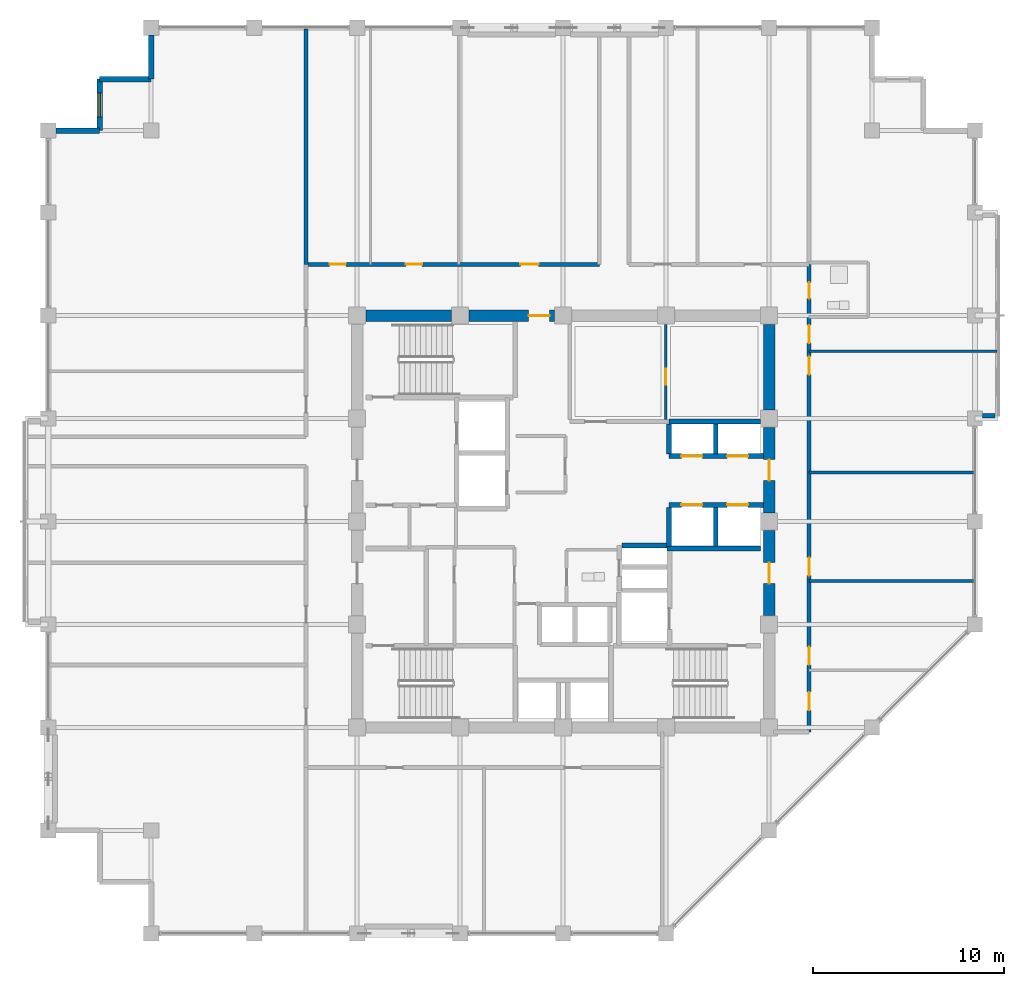
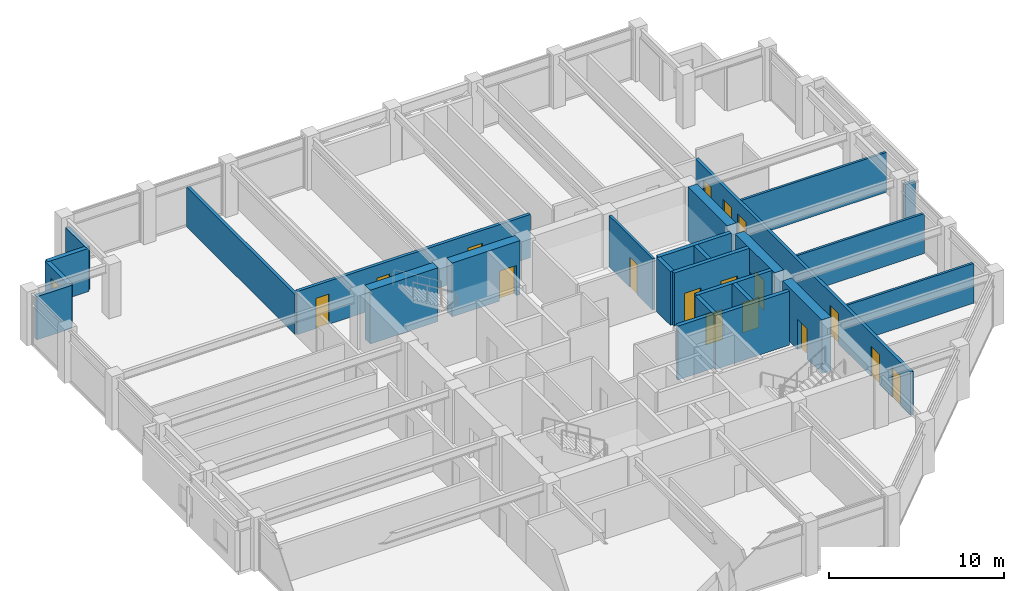
# One storey, part 26 of 30: 26 walls, 17 doors, 1 window, 18 openings.
"""IFC4 building model written with IfcOpenShell, lengths in metres."""

from ifc_helpers import new_model, si_unit, direction, frame, frame_2d, origin, place, context, subcontext, project, spatial, rectangle, extrude, material, layer, layer_set, type_object, element, fill, save


model = new_model("IFC4")

# Units and contexts
model_context = context("Model", 3, precision=1e-05, world=origin(), true_north=direction((0.0, 1.0)))
body_context = subcontext(model_context, "Body", "Model", "MODEL_VIEW")
ifc_project = project(units=[si_unit("LENGTHUNIT", "METRE"), si_unit("AREAUNIT", "SQUARE_METRE"), si_unit("VOLUMEUNIT", "CUBIC_METRE"), si_unit("PLANEANGLEUNIT", "RADIAN"), si_unit("MASSUNIT", "GRAM", prefix="KILO")], contexts=[model_context])

# Site, building, storey
site_placement = place(None, origin())
site = spatial("IfcSite", under=ifc_project, at=site_placement, CompositionType="ELEMENT")
building_placement = place(site_placement, origin())
building = spatial("IfcBuilding", under=site, at=building_placement, Name="Surkhivell Harbour Commons", CompositionType="ELEMENT")
storey_placement = place(building_placement, frame((0.0, 0.0, 227.25)))
storey = spatial("IfcBuildingStorey", under=building, at=storey_placement, Name="L59", CompositionType="ELEMENT", Elevation=227.25)

# Wall
ifc_material_1 = material(Name="Concrete C60/75", Category="concrete")
ifc_layer_1 = layer(ifc_material_1, 0.60009765625)
ifc_layer_set_1 = layer_set([ifc_layer_1], Name="Concrete C60/75")
wall_type_1 = type_object("IfcWallType", Name="WAL-CORE-600", PredefinedType="SHEAR", material=ifc_layer_set_1)
wall_1_placement = place(storey_placement, frame((-10.340087890625, 10.800048828125, 0.0), z_axis=(0.0, 0.0, 1.0), x_axis=(1.0, 0.0, 0.0)))
element("IfcWall", 1, at=wall_1_placement, inside=storey, type_object=wall_type_1, Name="L59 Core Shear Wall North 1", PredefinedType="SHEAR", context=body_context, shape_type="SweptSolid", body=[
    extrude(rectangle(XDim=4.47998046875, YDim=0.60009765625, at=frame_2d((2.239990234375, 0.0))), origin(), (0.0, 0.0, 1.0), 3.75),
])

# Wall, opening, door
wall_2_placement = place(storey_placement, frame((-4.93994140625, 10.800048828125, 0.0), z_axis=(0.0, 0.0, 1.0), x_axis=(1.0, 0.0, 0.0)))
wall_2 = element("IfcWall", 2, at=wall_2_placement, inside=storey, type_object=wall_type_1, Name="L59 Core Shear Wall North 2", PredefinedType="SHEAR", context=body_context, shape_type="SweptSolid", body=[
    extrude(rectangle(XDim=4.47998046875, YDim=0.60009765625, at=frame_2d((2.239990234375, 0.0))), origin(), (0.0, 0.0, 1.0), 3.75),
])
opening_1_placement = place(wall_2_placement, frame((3.1298828125, 0.0, 0.0)))
opening_1 = element("IfcOpeningElement", 3, at=opening_1_placement, cuts=wall_2, Name="Opening ID-2", PredefinedType="OPENING", context=body_context, shape_type="SweptSolid", body=[
    extrude(rectangle(XDim=1.10009765625, YDim=2.10009765625, at=frame_2d((0.550048828125, 1.050048828125))), frame((0.0, 0.31005859375, 0.0), z_axis=(0.0, -1.0, 0.0), x_axis=(1.0, 0.0, 0.0)), (0.0, 0.0, 1.0), 0.6201171875),
])
ifc_material_2 = material(Name="Hardwood-veneered fire-rated door leaf", Category="wood")
door_type_1 = type_object("IfcDoorType", Name="DOR-FD60-1100", OperationType="NOTDEFINED", PredefinedType="DOOR", material=ifc_material_2)
door_1_placement = place(opening_1_placement, origin())
door_1 = element("IfcDoor", 4, at=door_1_placement, inside=storey, type_object=door_type_1, Name="L59 Central Core Lift Hall North Corridor Door", OperationType="SINGLE_SWING_LEFT", OverallHeight=2.10009765625, OverallWidth=1.10009765625, PredefinedType="DOOR", context=body_context, shape_type="SweptSolid", body=[
    extrude(rectangle(XDim=1.10009765625, YDim=2.10009765625, at=frame_2d((0.550048828125, 1.050048828125))), frame((0.0, 0.02490234375, 0.0), z_axis=(0.0, -1.0, 0.0), x_axis=(1.0, 0.0, 0.0)), (0.0, 0.0, 1.0), 0.050048828125),
])
fill(opening_1, door_1)

wall_3_placement = place(storey_placement, frame((10.800048828125, -4.93994140625, 0.0), z_axis=(0.0, 0.0, 1.0), x_axis=(0.0, 1.0, 0.0)))
wall_3 = element("IfcWall", 5, at=wall_3_placement, inside=storey, type_object=wall_type_1, Name="L59 Core Shear Wall East 2", PredefinedType="SHEAR", context=body_context, shape_type="SweptSolid", body=[
    extrude(rectangle(XDim=4.47998046875, YDim=0.60009765625, at=frame_2d((2.239990234375, 0.0))), origin(), (0.0, 0.0, 1.0), 3.75),
])
opening_2_placement = place(wall_3_placement, frame((1.68994140625, 0.0, 0.0)))
opening_2 = element("IfcOpeningElement", 6, at=opening_2_placement, cuts=wall_3, Name="Opening ID-1", PredefinedType="OPENING", context=body_context, shape_type="SweptSolid", body=[
    extrude(rectangle(XDim=1.10009765625, YDim=2.10009765625, at=frame_2d((0.550048828125, 1.050048828125))), frame((0.0, 0.31005859375, 0.0), z_axis=(0.0, -1.0, 0.0), x_axis=(1.0, 0.0, 0.0)), (0.0, 0.0, 1.0), 0.6201171875),
])
door_type_2 = type_object("IfcDoorType", Name="DOR-FD120-1100", OperationType="NOTDEFINED", PredefinedType="DOOR", material=ifc_material_2)
door_2_placement = place(opening_2_placement, origin())
door_2 = element("IfcDoor", 7, at=door_2_placement, inside=storey, type_object=door_type_2, Name="L59 Firefighting Lobby 2 Corridor Door", OperationType="SINGLE_SWING_RIGHT", OverallHeight=2.10009765625, OverallWidth=1.10009765625, PredefinedType="DOOR", context=body_context, shape_type="SweptSolid", body=[
    extrude(rectangle(XDim=1.10009765625, YDim=2.10009765625, at=frame_2d((0.550048828125, 1.050048828125))), frame((0.0, 0.02490234375, 0.0), z_axis=(0.0, -1.0, 0.0), x_axis=(1.0, 0.0, 0.0)), (0.0, 0.0, 1.0), 0.050048828125),
])
fill(opening_2, door_2)

wall_4_placement = place(storey_placement, frame((10.800048828125, 0.4599609375, 0.0), z_axis=(0.0, 0.0, 1.0), x_axis=(0.0, 1.0, 0.0)))
wall_4 = element("IfcWall", 8, at=wall_4_placement, inside=storey, type_object=wall_type_1, Name="L59 Core Shear Wall East 3", PredefinedType="SHEAR", context=body_context, shape_type="SweptSolid", body=[
    extrude(rectangle(XDim=4.47998046875, YDim=0.60009765625, at=frame_2d((2.239990234375, 0.0))), origin(), (0.0, 0.0, 1.0), 3.75),
])
opening_3_placement = place(wall_4_placement, frame((1.68994140625, 0.0, 0.0)))
opening_3 = element("IfcOpeningElement", 9, at=opening_3_placement, cuts=wall_4, Name="Opening ID-2", PredefinedType="OPENING", context=body_context, shape_type="SweptSolid", body=[
    extrude(rectangle(XDim=1.10009765625, YDim=2.10009765625, at=frame_2d((0.550048828125, 1.050048828125))), frame((0.0, 0.31005859375, 0.0), z_axis=(0.0, -1.0, 0.0), x_axis=(1.0, 0.0, 0.0)), (0.0, 0.0, 1.0), 0.6201171875),
])
door_3_placement = place(opening_3_placement, origin())
door_3 = element("IfcDoor", 10, at=door_3_placement, inside=storey, type_object=door_type_1, Name="L59 Mid-Rise Lobby East Door", OperationType="SINGLE_SWING_LEFT", OverallHeight=2.10009765625, OverallWidth=1.10009765625, PredefinedType="DOOR", context=body_context, shape_type="SweptSolid", body=[
    extrude(rectangle(XDim=1.10009765625, YDim=2.10009765625, at=frame_2d((0.550048828125, 1.050048828125))), frame((0.0, 0.02490234375, 0.0), z_axis=(0.0, -1.0, 0.0), x_axis=(1.0, 0.0, 0.0)), (0.0, 0.0, 1.0), 0.050048828125),
])
fill(opening_3, door_3)

# Walls
wall_5_placement = place(storey_placement, frame((10.800048828125, 5.860107421875, 0.0), z_axis=(0.0, 0.0, 1.0), x_axis=(0.0, 1.0, 0.0)))
element("IfcWall", 11, at=wall_5_placement, inside=storey, type_object=wall_type_1, Name="L59 Core Shear Wall East 4", PredefinedType="SHEAR", context=body_context, shape_type="SweptSolid", body=[
    extrude(rectangle(XDim=4.47998046875, YDim=0.60009765625, at=frame_2d((2.239990234375, 0.0))), origin(), (0.0, 0.0, 1.0), 3.75),
])
ifc_material_3 = material(Name="Bronze-ochre cassette precast concrete C45/55", Category="concrete")
ifc_layer_2 = layer(ifc_material_3, 0.239990234375)
ifc_layer_set_2 = layer_set([ifc_layer_2], Name="Bronze-ochre cassette precast concrete C45/55")
wall_type_2 = type_object("IfcWallType", Name="WAL-EXT-OCH240", PredefinedType="STANDARD", material=ifc_layer_set_2)
wall_6_placement = place(storey_placement, frame((22.00390625, 5.5400390625, 0.0), z_axis=(0.0, 0.0, 1.0), x_axis=(1.0, 0.0, 0.0)))
element("IfcWall", 12, at=wall_6_placement, inside=storey, type_object=wall_type_2, Name="L59 Coloured Box Return Wall 01S", PredefinedType="STANDARD", context=body_context, shape_type="SweptSolid", body=[
    extrude(rectangle(XDim=0.656005859375, YDim=0.239990234375, at=frame_2d((0.328125, 0.0))), origin(), (0.0, 0.0, 1.0), 2.85693359375),
])
ifc_material_4 = material(Name="Terracotta-clad reinforced concrete C45/55", Category="masonry")
ifc_layer_3 = layer(ifc_material_4, 0.280029296875)
ifc_layer_set_3 = layer_set([ifc_layer_3], Name="Terracotta-clad reinforced concrete C45/55")
wall_type_3 = type_object("IfcWallType", Name="WAL-EXT-TER280", PredefinedType="STANDARD", material=ifc_layer_set_3)
wall_7_placement = place(storey_placement, frame((-21.60009765625, 25.501953125, 0.0), z_axis=(0.0, 0.0, 1.0), x_axis=(0.0, -1.0, 0.0)))
element("IfcWall", 13, at=wall_7_placement, inside=storey, type_object=wall_type_3, Name="L59 Serrated Corner Facade Wall 08", PredefinedType="STANDARD", context=body_context, shape_type="SweptSolid", body=[
    extrude(rectangle(XDim=2.302001953125, YDim=0.280029296875, at=frame_2d((1.15087890625, 0.0))), origin(), (0.0, 0.0, 1.0), 3.006103515625),
])
wall_8_placement = place(storey_placement, frame((-21.60009765625, 23.199951171875, 0.0), z_axis=(0.0, 0.0, 1.0), x_axis=(-1.0, 0.0, 0.0)))
element("IfcWall", 14, at=wall_8_placement, inside=storey, type_object=wall_type_3, Name="L59 Serrated Corner Facade Wall 09", PredefinedType="STANDARD", context=body_context, shape_type="SweptSolid", body=[
    extrude(rectangle(XDim=2.699951171875, YDim=0.280029296875, at=frame_2d((1.35009765625, 0.0))), origin(), (0.0, 0.0, 1.0), 3.006103515625),
])

# Wall, opening, window
wall_9_placement = place(storey_placement, frame((-24.300048828125, 23.199951171875, 0.0), z_axis=(0.0, 0.0, 1.0), x_axis=(0.0, -1.0, 0.0)))
wall_9 = element("IfcWall", 15, at=wall_9_placement, inside=storey, type_object=wall_type_3, Name="L59 Serrated Corner Facade Wall 10", PredefinedType="STANDARD", context=body_context, shape_type="SweptSolid", body=[
    extrude(rectangle(XDim=2.699951171875, YDim=0.280029296875, at=frame_2d((1.35009765625, 0.0))), origin(), (0.0, 0.0, 1.0), 3.006103515625),
])
opening_4_placement = place(wall_9_placement, frame((0.72509765625, 0.0, 0.64990234375)))
opening_4 = element("IfcOpeningElement", 16, at=opening_4_placement, cuts=wall_9, Name="Opening WN-09", PredefinedType="OPENING", context=body_context, shape_type="SweptSolid", body=[
    extrude(rectangle(XDim=1.25, YDim=1.60009765625, at=frame_2d((0.625, 0.800048828125))), frame((0.0, 0.14990234375, 0.0), z_axis=(0.0, -1.0, 0.0), x_axis=(1.0, 0.0, 0.0)), (0.0, 0.0, 1.0), 0.300048828125),
])
ifc_material_5 = material(Name="Thermal-break aluminium frame and double low-E glazing", Category="aluminium")
window_type = type_object("IfcWindowType", Name="WIN-SER-1250x1600", PartitioningType="SINGLE_PANEL", PredefinedType="WINDOW", material=ifc_material_5)
window_placement = place(opening_4_placement, origin())
window = element("IfcWindow", 17, at=window_placement, inside=storey, type_object=window_type, Name="L59 Serrated Alcove Window 10", OverallHeight=1.60009765625, OverallWidth=1.25, PartitioningType="SINGLE_PANEL", PredefinedType="WINDOW", context=body_context, shape_type="SweptSolid", body=[
    extrude(rectangle(XDim=1.25, YDim=1.60009765625, at=frame_2d((0.625, 0.800048828125))), frame((0.0, 0.030029296875, 0.0), z_axis=(0.0, -1.0, 0.0), x_axis=(1.0, 0.0, 0.0)), (0.0, 0.0, 1.0), 0.06005859375),
])
fill(opening_4, window)

# Wall
wall_10_placement = place(storey_placement, frame((-24.300048828125, 20.5, 0.0), z_axis=(0.0, 0.0, 1.0), x_axis=(-1.0, 0.0, 0.0)))
element("IfcWall", 18, at=wall_10_placement, inside=storey, type_object=wall_type_3, Name="L59 Serrated Corner Facade Wall 11", PredefinedType="STANDARD", context=body_context, shape_type="SweptSolid", body=[
    extrude(rectangle(XDim=2.302001953125, YDim=0.280029296875, at=frame_2d((1.15087890625, 0.0))), origin(), (0.0, 0.0, 1.0), 3.006103515625),
])

# Wall, opening, door
ifc_material_6 = material(Name="Twin-stud acoustic fireboard partition", Category="other")
ifc_layer_4 = layer(ifc_material_6, 0.14990234375)
ifc_layer_set_4 = layer_set([ifc_layer_4], Name="Twin-stud acoustic fireboard partition")
wall_type_4 = type_object("IfcWallType", Name="WAL-INT-150", PredefinedType="PARTITIONING", material=ifc_layer_set_4)
wall_11_placement = place(storey_placement, frame((5.3798828125, 5.360107421875, 0.0), z_axis=(0.0, 0.0, 1.0), x_axis=(0.0, 1.0, 0.0)))
wall_11 = element("IfcWall", 19, at=wall_11_placement, inside=storey, type_object=wall_type_4, Name="L59 Core Library Divider", PredefinedType="PARTITIONING", context=body_context, shape_type="SweptSolid", body=[
    extrude(rectangle(XDim=4.97998046875, YDim=0.14990234375, at=frame_2d((2.489990234375, 0.0))), origin(), (0.0, 0.0, 1.0), 3.570068359375),
])
opening_5_placement = place(wall_11_placement, frame((1.800048828125, 0.0, 0.0)))
opening_5 = element("IfcOpeningElement", 20, at=opening_5_placement, cuts=wall_11, Name="Opening ID-6", PredefinedType="OPENING", context=body_context, shape_type="SweptSolid", body=[
    extrude(rectangle(XDim=0.85009765625, YDim=2.10009765625, at=frame_2d((0.425048828125, 1.050048828125))), frame((0.0, 0.0849609375, 0.0), z_axis=(0.0, -1.0, 0.0), x_axis=(1.0, 0.0, 0.0)), (0.0, 0.0, 1.0), 0.169921875),
])
door_type_3 = type_object("IfcDoorType", Name="DOR-FD30-850", OperationType="NOTDEFINED", PredefinedType="DOOR", material=ifc_material_2)
door_4_placement = place(opening_5_placement, origin())
door_4 = element("IfcDoor", 21, at=door_4_placement, inside=storey, type_object=door_type_3, Name="L59 Core Reading Door", OperationType="SINGLE_SWING_RIGHT", OverallHeight=2.10009765625, OverallWidth=0.85009765625, PredefinedType="DOOR", context=body_context, shape_type="SweptSolid", body=[
    extrude(rectangle(XDim=0.85009765625, YDim=2.10009765625, at=frame_2d((0.425048828125, 1.050048828125))), frame((0.0, 0.02490234375, 0.0), z_axis=(0.0, -1.0, 0.0), x_axis=(1.0, 0.0, 0.0)), (0.0, 0.0, 1.0), 0.050048828125),
])
fill(opening_5, door_4)

# Walls
for number, where, z_axis, x_axis, name in (
    (22, (12.89990234375, -3.1201171875, 0.0), (0.0, 0.0, 1.0), (1.0, 0.0, 0.0), "L59 East Partition BDP1"),
    (23, (12.89990234375, 2.570068359375, 0.0), (0.0, 0.0, 1.0), (1.0, 0.0, 0.0), "L59 East Partition BDP2"),
):
    element("IfcWall", number, at=place(storey_placement, frame(where, z_axis=z_axis, x_axis=x_axis)), inside=storey, type_object=wall_type_4, Name=name, PredefinedType="PARTITIONING", context=body_context, shape_type="SweptSolid", body=[
        extrude(rectangle(XDim=8.64013671875, YDim=0.14990234375, at=frame_2d((4.320068359375, 0.0))), origin(), (0.0, 0.0, 1.0), 2.780029296875),
    ])
wall_12_placement = place(storey_placement, frame((12.89990234375, 8.929931640625, 0.0), z_axis=(0.0, 0.0, 1.0), x_axis=(1.0, 0.0, 0.0)))
element("IfcWall", 24, at=wall_12_placement, inside=storey, type_object=wall_type_4, Name="L59 East Partition PTOP", PredefinedType="PARTITIONING", context=body_context, shape_type="SweptSolid", body=[
    extrude(rectangle(XDim=9.840087890625, YDim=0.14990234375, at=frame_2d((4.919921875, 0.0))), origin(), (0.0, 0.0, 1.0), 2.780029296875),
])
ifc_material_7 = material(Name="Autoclaved aerated concrete blockwork and fire plaster", Category="masonry")
ifc_layer_5 = layer(ifc_material_7, 0.199951171875)
ifc_layer_set_5 = layer_set([ifc_layer_5], Name="Autoclaved aerated concrete blockwork and fire plaster")
wall_type_5 = type_object("IfcWallType", Name="WAL-INT-200", PredefinedType="PARTITIONING", material=ifc_layer_set_5)
wall_13_placement = place(storey_placement, frame((-13.47998046875, 13.47998046875, 0.0), z_axis=(0.0, 0.0, 1.0), x_axis=(0.0, 1.0, 0.0)))
element("IfcWall", 25, at=wall_13_placement, inside=storey, type_object=wall_type_5, Name="L59 North-West Corner Wall", PredefinedType="PARTITIONING", context=body_context, shape_type="SweptSolid", body=[
    extrude(rectangle(XDim=12.360107421875, YDim=0.199951171875, at=frame_2d((6.18017578125, 0.0))), origin(), (0.0, 0.0, 1.0), 2.780029296875),
])

# Wall, openings, doors
wall_14_placement = place(storey_placement, frame((12.89990234375, -11.0400390625, 0.0), z_axis=(0.0, 0.0, 1.0), x_axis=(0.0, 1.0, 0.0)))
wall_14 = element("IfcWall", 26, at=wall_14_placement, inside=storey, type_object=wall_type_5, Name="L59 Corridor East Wall", PredefinedType="PARTITIONING", context=body_context, shape_type="SweptSolid", body=[
    extrude(rectangle(XDim=24.52001953125, YDim=0.199951171875, at=frame_2d((12.260009765625, 0.0))), origin(), (0.0, 0.0, 1.0), 3.006103515625),
])
opening_6_placement = place(wall_14_placement, frame((1.139892578125, 0.0, 0.0)))
opening_6 = element("IfcOpeningElement", 27, at=opening_6_placement, cuts=wall_14, Name="Opening ID-4", PredefinedType="OPENING", context=body_context, shape_type="SweptSolid", body=[
    extrude(rectangle(XDim=0.949951171875, YDim=2.10009765625, at=frame_2d((0.47509765625, 1.050048828125))), frame((0.0, 0.10986328125, 0.0), z_axis=(0.0, -1.0, 0.0), x_axis=(1.0, 0.0, 0.0)), (0.0, 0.0, 1.0), 0.219970703125),
])
opening_7_placement = place(wall_14_placement, frame((22.72509765625, 0.0, 0.0)))
opening_7 = element("IfcOpeningElement", 28, at=opening_7_placement, cuts=wall_14, Name="Opening ID-6", PredefinedType="OPENING", context=body_context, shape_type="SweptSolid", body=[
    extrude(rectangle(XDim=0.85009765625, YDim=2.10009765625, at=frame_2d((0.425048828125, 1.050048828125))), frame((0.0, 0.10986328125, 0.0), z_axis=(0.0, -1.0, 0.0), x_axis=(1.0, 0.0, 0.0)), (0.0, 0.0, 1.0), 0.219970703125),
])
opening_8_placement = place(wall_14_placement, frame((20.389892578125, 0.0, 0.0)))
opening_8 = element("IfcOpeningElement", 29, at=opening_8_placement, cuts=wall_14, Name="Opening ID-4", PredefinedType="OPENING", context=body_context, shape_type="SweptSolid", body=[
    extrude(rectangle(XDim=0.949951171875, YDim=2.10009765625, at=frame_2d((0.47509765625, 1.050048828125))), frame((0.0, 0.10986328125, 0.0), z_axis=(0.0, -1.0, 0.0), x_axis=(1.0, 0.0, 0.0)), (0.0, 0.0, 1.0), 0.219970703125),
])
opening_9_placement = place(wall_14_placement, frame((3.52001953125, 0.0, 0.0)))
opening_9 = element("IfcOpeningElement", 30, at=opening_9_placement, cuts=wall_14, Name="Opening ID-4", PredefinedType="OPENING", context=body_context, shape_type="SweptSolid", body=[
    extrude(rectangle(XDim=0.949951171875, YDim=2.10009765625, at=frame_2d((0.47509765625, 1.050048828125))), frame((0.0, 0.10986328125, 0.0), z_axis=(0.0, -1.0, 0.0), x_axis=(1.0, 0.0, 0.0)), (0.0, 0.0, 1.0), 0.219970703125),
])
opening_10_placement = place(wall_14_placement, frame((8.199951171875, 0.0, 0.0)))
opening_10 = element("IfcOpeningElement", 31, at=opening_10_placement, cuts=wall_14, Name="Opening ID-4", PredefinedType="OPENING", context=body_context, shape_type="SweptSolid", body=[
    extrude(rectangle(XDim=0.949951171875, YDim=2.10009765625, at=frame_2d((0.47509765625, 1.050048828125))), frame((0.0, 0.10986328125, 0.0), z_axis=(0.0, -1.0, 0.0), x_axis=(1.0, 0.0, 0.0)), (0.0, 0.0, 1.0), 0.219970703125),
])
opening_11_placement = place(wall_14_placement, frame((18.739990234375, 0.0, 0.0)))
opening_11 = element("IfcOpeningElement", 32, at=opening_11_placement, cuts=wall_14, Name="Opening ID-4", PredefinedType="OPENING", context=body_context, shape_type="SweptSolid", body=[
    extrude(rectangle(XDim=0.949951171875, YDim=2.10009765625, at=frame_2d((0.47509765625, 1.050048828125))), frame((0.0, 0.10986328125, 0.0), z_axis=(0.0, -1.0, 0.0), x_axis=(1.0, 0.0, 0.0)), (0.0, 0.0, 1.0), 0.219970703125),
])
door_5_placement = place(opening_7_placement, origin())
door_5 = element("IfcDoor", 33, at=door_5_placement, inside=storey, type_object=door_type_3, Name="L59 Communal Shower Bathroom East Door", OperationType="SINGLE_SWING_RIGHT", OverallHeight=2.10009765625, OverallWidth=0.85009765625, PredefinedType="DOOR", context=body_context, shape_type="SweptSolid", body=[
    extrude(rectangle(XDim=0.85009765625, YDim=2.10009765625, at=frame_2d((0.425048828125, 1.050048828125))), frame((0.0, 0.02490234375, 0.0), z_axis=(0.0, -1.0, 0.0), x_axis=(1.0, 0.0, 0.0)), (0.0, 0.0, 1.0), 0.050048828125),
])
fill(opening_7, door_5)
door_type_4 = type_object("IfcDoorType", Name="DOR-FD60-950", OperationType="NOTDEFINED", PredefinedType="DOOR", material=ifc_material_2)
door_6_placement = place(opening_6_placement, origin())
door_6 = element("IfcDoor", 34, at=door_6_placement, inside=storey, type_object=door_type_4, Name="L59 Shared Communal Kitchen East Door", OperationType="SINGLE_SWING_LEFT", OverallHeight=2.10009765625, OverallWidth=0.949951171875, PredefinedType="DOOR", context=body_context, shape_type="SweptSolid", body=[
    extrude(rectangle(XDim=0.949951171875, YDim=2.10009765625, at=frame_2d((0.47509765625, 1.050048828125))), frame((0.0, 0.02490234375, 0.0), z_axis=(0.0, -1.0, 0.0), x_axis=(1.0, 0.0, 0.0)), (0.0, 0.0, 1.0), 0.050048828125),
])
fill(opening_6, door_6)
door_7_placement = place(opening_8_placement, origin())
door_7 = element("IfcDoor", 35, at=door_7_placement, inside=storey, type_object=door_type_4, Name="L59 Academic Reading Commons East Door", OperationType="SINGLE_SWING_LEFT", OverallHeight=2.10009765625, OverallWidth=0.949951171875, PredefinedType="DOOR", context=body_context, shape_type="SweptSolid", body=[
    extrude(rectangle(XDim=0.949951171875, YDim=2.10009765625, at=frame_2d((0.47509765625, 1.050048828125))), frame((0.0, 0.02490234375, 0.0), z_axis=(0.0, -1.0, 0.0), x_axis=(1.0, 0.0, 0.0)), (0.0, 0.0, 1.0), 0.050048828125),
])
fill(opening_8, door_7)
door_8_placement = place(opening_9_placement, origin())
door_8 = element("IfcDoor", 36, at=door_8_placement, inside=storey, type_object=door_type_4, Name="L59 Hostel Cluster Bedroom 1 East Door", OperationType="SINGLE_SWING_RIGHT", OverallHeight=2.10009765625, OverallWidth=0.949951171875, PredefinedType="DOOR", context=body_context, shape_type="SweptSolid", body=[
    extrude(rectangle(XDim=0.949951171875, YDim=2.10009765625, at=frame_2d((0.47509765625, 1.050048828125))), frame((0.0, 0.02490234375, 0.0), z_axis=(0.0, -1.0, 0.0), x_axis=(1.0, 0.0, 0.0)), (0.0, 0.0, 1.0), 0.050048828125),
])
fill(opening_9, door_8)
door_9_placement = place(opening_10_placement, origin())
door_9 = element("IfcDoor", 37, at=door_9_placement, inside=storey, type_object=door_type_4, Name="L59 Co-Living Dormitory Bedroom 2 East Door", OperationType="SINGLE_SWING_LEFT", OverallHeight=2.10009765625, OverallWidth=0.949951171875, PredefinedType="DOOR", context=body_context, shape_type="SweptSolid", body=[
    extrude(rectangle(XDim=0.949951171875, YDim=2.10009765625, at=frame_2d((0.47509765625, 1.050048828125))), frame((0.0, 0.02490234375, 0.0), z_axis=(0.0, -1.0, 0.0), x_axis=(1.0, 0.0, 0.0)), (0.0, 0.0, 1.0), 0.050048828125),
])
fill(opening_10, door_9)
door_10_placement = place(opening_11_placement, origin())
door_10 = element("IfcDoor", 38, at=door_10_placement, inside=storey, type_object=door_type_4, Name="L59 Hostel Cluster Bedroom 3 East Door", OperationType="SINGLE_SWING_RIGHT", OverallHeight=2.10009765625, OverallWidth=0.949951171875, PredefinedType="DOOR", context=body_context, shape_type="SweptSolid", body=[
    extrude(rectangle(XDim=0.949951171875, YDim=2.10009765625, at=frame_2d((0.47509765625, 1.050048828125))), frame((0.0, 0.02490234375, 0.0), z_axis=(0.0, -1.0, 0.0), x_axis=(1.0, 0.0, 0.0)), (0.0, 0.0, 1.0), 0.050048828125),
])
fill(opening_11, door_10)

wall_15_placement = place(storey_placement, frame((-13.47998046875, 13.47998046875, 0.0), z_axis=(0.0, 0.0, 1.0), x_axis=(1.0, 0.0, 0.0)))
wall_15 = element("IfcWall", 39, at=wall_15_placement, inside=storey, type_object=wall_type_5, Name="L59 Corridor North-West Wall", PredefinedType="PARTITIONING", context=body_context, shape_type="SweptSolid", body=[
    extrude(rectangle(XDim=15.3798828125, YDim=0.199951171875, at=frame_2d((7.68994140625, 0.0))), origin(), (0.0, 0.0, 1.0), 3.006103515625),
])
opening_12_placement = place(wall_15_placement, frame((1.239990234375, 0.0, 0.0)))
opening_12 = element("IfcOpeningElement", 40, at=opening_12_placement, cuts=wall_15, Name="Opening ID-6", PredefinedType="OPENING", context=body_context, shape_type="SweptSolid", body=[
    extrude(rectangle(XDim=0.85009765625, YDim=2.10009765625, at=frame_2d((0.425048828125, 1.050048828125))), frame((0.0, 0.10986328125, 0.0), z_axis=(0.0, -1.0, 0.0), x_axis=(1.0, 0.0, 0.0)), (0.0, 0.0, 1.0), 0.219970703125),
])
opening_13_placement = place(wall_15_placement, frame((5.239990234375, 0.0, 0.0)))
opening_13 = element("IfcOpeningElement", 41, at=opening_13_placement, cuts=wall_15, Name="Opening ID-6", PredefinedType="OPENING", context=body_context, shape_type="SweptSolid", body=[
    extrude(rectangle(XDim=0.85009765625, YDim=2.10009765625, at=frame_2d((0.425048828125, 1.050048828125))), frame((0.0, 0.10986328125, 0.0), z_axis=(0.0, -1.0, 0.0), x_axis=(1.0, 0.0, 0.0)), (0.0, 0.0, 1.0), 0.219970703125),
])
opening_14_placement = place(wall_15_placement, frame((11.239990234375, 0.0, 0.0)))
opening_14 = element("IfcOpeningElement", 42, at=opening_14_placement, cuts=wall_15, Name="Opening ID-4", PredefinedType="OPENING", context=body_context, shape_type="SweptSolid", body=[
    extrude(rectangle(XDim=0.949951171875, YDim=2.10009765625, at=frame_2d((0.47509765625, 1.050048828125))), frame((0.0, 0.10986328125, 0.0), z_axis=(0.0, -1.0, 0.0), x_axis=(1.0, 0.0, 0.0)), (0.0, 0.0, 1.0), 0.219970703125),
])
door_11_placement = place(opening_12_placement, origin())
door_11 = element("IfcDoor", 43, at=door_11_placement, inside=storey, type_object=door_type_3, Name="L59 Co-Working Study Office 1 North-West Door", OperationType="SINGLE_SWING_RIGHT", OverallHeight=2.10009765625, OverallWidth=0.85009765625, PredefinedType="DOOR", context=body_context, shape_type="SweptSolid", body=[
    extrude(rectangle(XDim=0.85009765625, YDim=2.10009765625, at=frame_2d((0.425048828125, 1.050048828125))), frame((0.0, 0.02490234375, 0.0), z_axis=(0.0, -1.0, 0.0), x_axis=(1.0, 0.0, 0.0)), (0.0, 0.0, 1.0), 0.050048828125),
])
fill(opening_12, door_11)
door_12_placement = place(opening_13_placement, origin())
door_12 = element("IfcDoor", 44, at=door_12_placement, inside=storey, type_object=door_type_3, Name="L59 Co-Working Study Office 2 North-West Door", OperationType="SINGLE_SWING_LEFT", OverallHeight=2.10009765625, OverallWidth=0.85009765625, PredefinedType="DOOR", context=body_context, shape_type="SweptSolid", body=[
    extrude(rectangle(XDim=0.85009765625, YDim=2.10009765625, at=frame_2d((0.425048828125, 1.050048828125))), frame((0.0, 0.02490234375, 0.0), z_axis=(0.0, -1.0, 0.0), x_axis=(1.0, 0.0, 0.0)), (0.0, 0.0, 1.0), 0.050048828125),
])
fill(opening_13, door_12)
door_13_placement = place(opening_14_placement, origin())
door_13 = element("IfcDoor", 45, at=door_13_placement, inside=storey, type_object=door_type_4, Name="L59 Co-Working Study Office 3 North-West Door", OperationType="SINGLE_SWING_RIGHT", OverallHeight=2.10009765625, OverallWidth=0.949951171875, PredefinedType="DOOR", context=body_context, shape_type="SweptSolid", body=[
    extrude(rectangle(XDim=0.949951171875, YDim=2.10009765625, at=frame_2d((0.47509765625, 1.050048828125))), frame((0.0, 0.02490234375, 0.0), z_axis=(0.0, -1.0, 0.0), x_axis=(1.0, 0.0, 0.0)), (0.0, 0.0, 1.0), 0.050048828125),
])
fill(opening_14, door_13)

# Walls
ifc_material_8 = material(Name="Concrete C50/60", Category="concrete")
ifc_layer_6 = layer(ifc_material_8, 0.25)
ifc_layer_set_6 = layer_set([ifc_layer_6], Name="Concrete C50/60")
wall_type_6 = type_object("IfcWallType", Name="WAL-SHAFT-250", PredefinedType="SHEAR", material=ifc_layer_set_6)
wall_16_placement = place(storey_placement, frame((5.43994140625, -1.419921875, 0.0), z_axis=(0.0, 0.0, 1.0), x_axis=(1.0, 0.0, 0.0)))
element("IfcWall", 46, at=wall_16_placement, inside=storey, type_object=wall_type_6, Name="L59 Firefighting Lobby 2 North Wall", PredefinedType="SHEAR", context=body_context, shape_type="SweptSolid", body=[
    extrude(rectangle(XDim=4.900146484375, YDim=0.25, at=frame_2d((2.4501953125, 0.0))), origin(), (0.0, 0.0, 1.0), 3.75),
])
for number, where, z_axis, x_axis, name in (
    (47, (5.550048828125, 3.550048828125, 0.0), (0.0, 0.0, 1.0), (0.0, 1.0, 0.0), "L59 Mid-Rise Shaft Side Wall N"),
    (48, (8.0, 3.550048828125, 0.0), (0.0, 0.0, 1.0), (0.0, 1.0, 0.0), "L59 Mid-Rise Shaft Side Wall N"),
):
    element("IfcWall", number, at=place(storey_placement, frame(where, z_axis=z_axis, x_axis=x_axis)), inside=storey, type_object=wall_type_6, Name=name, PredefinedType="SHEAR", context=body_context, shape_type="SweptSolid", body=[
        extrude(rectangle(XDim=1.570068359375, YDim=0.25, at=frame_2d((0.78515625, 0.0))), origin(), (0.0, 0.0, 1.0), 3.75),
    ])
for number, where, z_axis, x_axis, name in (
    (49, (5.550048828125, -1.300048828125, 0.0), (0.0, 0.0, 1.0), (0.0, 1.0, 0.0), "L59 Mid-Rise Shaft Side Wall S"),
    (50, (8.0, -1.300048828125, 0.0), (0.0, 0.0, 1.0), (0.0, 1.0, 0.0), "L59 Mid-Rise Shaft Side Wall S"),
):
    element("IfcWall", number, at=place(storey_placement, frame(where, z_axis=z_axis, x_axis=x_axis)), inside=storey, type_object=wall_type_6, Name=name, PredefinedType="SHEAR", context=body_context, shape_type="SweptSolid", body=[
        extrude(rectangle(XDim=2.0400390625, YDim=0.25, at=frame_2d((1.02001953125, 0.0))), origin(), (0.0, 0.0, 1.0), 3.75),
    ])

# Wall, openings, doors
wall_17_placement = place(storey_placement, frame((5.550048828125, 3.429931640625, 0.0), z_axis=(0.0, 0.0, 1.0), x_axis=(1.0, 0.0, 0.0)))
wall_17 = element("IfcWall", 51, at=wall_17_placement, inside=storey, type_object=wall_type_6, Name="L59 Mid-Rise North Front Shaft Wall", PredefinedType="SHEAR", context=body_context, shape_type="SweptSolid", body=[
    extrude(rectangle(XDim=4.949951171875, YDim=0.25, at=frame_2d((2.47509765625, 0.0))), origin(), (0.0, 0.0, 1.0), 3.75),
])
opening_15_placement = place(wall_17_placement, frame((0.64990234375, 0.0, 0.0)))
opening_15 = element("IfcOpeningElement", 52, at=opening_15_placement, cuts=wall_17, Name="Opening LD-1", PredefinedType="OPENING", context=body_context, shape_type="SweptSolid", body=[
    extrude(rectangle(XDim=1.10009765625, YDim=2.10009765625, at=frame_2d((0.550048828125, 1.050048828125))), frame((0.0, 0.135009765625, 0.0), z_axis=(0.0, -1.0, 0.0), x_axis=(1.0, 0.0, 0.0)), (0.0, 0.0, 1.0), 0.27001953125),
])
opening_16_placement = place(wall_17_placement, frame((3.050048828125, 0.0, 0.0)))
opening_16 = element("IfcOpeningElement", 53, at=opening_16_placement, cuts=wall_17, Name="Opening LD-1", PredefinedType="OPENING", context=body_context, shape_type="SweptSolid", body=[
    extrude(rectangle(XDim=1.10009765625, YDim=2.10009765625, at=frame_2d((0.550048828125, 1.050048828125))), frame((0.0, 0.135009765625, 0.0), z_axis=(0.0, -1.0, 0.0), x_axis=(1.0, 0.0, 0.0)), (0.0, 0.0, 1.0), 0.27001953125),
])
ifc_material_9 = material(Name="Brushed stainless steel S355", Category="steel")
door_type_5 = type_object("IfcDoorType", Name="DOR-LD-1100", OperationType="SLIDING_TO_LEFT", PredefinedType="DOOR", material=ifc_material_9)
door_14_placement = place(opening_15_placement, origin())
door_14 = element("IfcDoor", 54, at=door_14_placement, inside=storey, type_object=door_type_5, Name="L59 Lift Landing Door LD-PM1", OperationType="SLIDING_TO_RIGHT", OverallHeight=2.10009765625, OverallWidth=1.10009765625, PredefinedType="DOOR", context=body_context, shape_type="SweptSolid", body=[
    extrude(rectangle(XDim=1.10009765625, YDim=2.10009765625, at=frame_2d((0.550048828125, 1.050048828125))), frame((0.0, 0.02490234375, 0.0), z_axis=(0.0, -1.0, 0.0), x_axis=(1.0, 0.0, 0.0)), (0.0, 0.0, 1.0), 0.050048828125),
])
fill(opening_15, door_14)
door_15_placement = place(opening_16_placement, origin())
door_15 = element("IfcDoor", 55, at=door_15_placement, inside=storey, type_object=door_type_5, Name="L59 Lift Landing Door LD-PM2", OperationType="SLIDING_TO_RIGHT", OverallHeight=2.10009765625, OverallWidth=1.10009765625, PredefinedType="DOOR", context=body_context, shape_type="SweptSolid", body=[
    extrude(rectangle(XDim=1.10009765625, YDim=2.10009765625, at=frame_2d((0.550048828125, 1.050048828125))), frame((0.0, 0.02490234375, 0.0), z_axis=(0.0, -1.0, 0.0), x_axis=(1.0, 0.0, 0.0)), (0.0, 0.0, 1.0), 0.050048828125),
])
fill(opening_16, door_15)

# Wall
wall_18_placement = place(storey_placement, frame((5.550048828125, 5.239990234375, 0.0), z_axis=(0.0, 0.0, 1.0), x_axis=(1.0, 0.0, 0.0)))
element("IfcWall", 56, at=wall_18_placement, inside=storey, type_object=wall_type_6, Name="L59 Mid-Rise North Back Shaft Wall", PredefinedType="SHEAR", context=body_context, shape_type="SweptSolid", body=[
    extrude(rectangle(XDim=4.800048828125, YDim=0.25, at=frame_2d((2.39990234375, 0.0))), origin(), (0.0, 0.0, 1.0), 3.75),
])

# Wall, openings, doors
wall_19_placement = place(storey_placement, frame((5.550048828125, 0.8701171875, 0.0), z_axis=(0.0, 0.0, 1.0), x_axis=(1.0, 0.0, 0.0)))
wall_19 = element("IfcWall", 57, at=wall_19_placement, inside=storey, type_object=wall_type_6, Name="L59 Mid-Rise South Front Shaft Wall", PredefinedType="SHEAR", context=body_context, shape_type="SweptSolid", body=[
    extrude(rectangle(XDim=4.949951171875, YDim=0.25, at=frame_2d((2.47509765625, 0.0))), origin(), (0.0, 0.0, 1.0), 3.75),
])
opening_17_placement = place(wall_19_placement, frame((0.64990234375, 0.0, 0.0)))
opening_17 = element("IfcOpeningElement", 58, at=opening_17_placement, cuts=wall_19, Name="Opening LD-1", PredefinedType="OPENING", context=body_context, shape_type="SweptSolid", body=[
    extrude(rectangle(XDim=1.10009765625, YDim=2.10009765625, at=frame_2d((0.550048828125, 1.050048828125))), frame((0.0, 0.135009765625, 0.0), z_axis=(0.0, -1.0, 0.0), x_axis=(1.0, 0.0, 0.0)), (0.0, 0.0, 1.0), 0.27001953125),
])
opening_18_placement = place(wall_19_placement, frame((3.050048828125, 0.0, 0.0)))
opening_18 = element("IfcOpeningElement", 59, at=opening_18_placement, cuts=wall_19, Name="Opening LD-1", PredefinedType="OPENING", context=body_context, shape_type="SweptSolid", body=[
    extrude(rectangle(XDim=1.10009765625, YDim=2.10009765625, at=frame_2d((0.550048828125, 1.050048828125))), frame((0.0, 0.135009765625, 0.0), z_axis=(0.0, -1.0, 0.0), x_axis=(1.0, 0.0, 0.0)), (0.0, 0.0, 1.0), 0.27001953125),
])
door_16_placement = place(opening_17_placement, origin())
door_16 = element("IfcDoor", 60, at=door_16_placement, inside=storey, type_object=door_type_5, Name="L59 Lift Landing Door LD-PM3", OperationType="SLIDING_TO_RIGHT", OverallHeight=2.10009765625, OverallWidth=1.10009765625, PredefinedType="DOOR", context=body_context, shape_type="SweptSolid", body=[
    extrude(rectangle(XDim=1.10009765625, YDim=2.10009765625, at=frame_2d((0.550048828125, 1.050048828125))), frame((0.0, 0.02490234375, 0.0), z_axis=(0.0, -1.0, 0.0), x_axis=(1.0, 0.0, 0.0)), (0.0, 0.0, 1.0), 0.050048828125),
])
fill(opening_17, door_16)
door_17_placement = place(opening_18_placement, origin())
door_17 = element("IfcDoor", 61, at=door_17_placement, inside=storey, type_object=door_type_5, Name="L59 Lift Landing Door LD-PM4", OperationType="SLIDING_TO_RIGHT", OverallHeight=2.10009765625, OverallWidth=1.10009765625, PredefinedType="DOOR", context=body_context, shape_type="SweptSolid", body=[
    extrude(rectangle(XDim=1.10009765625, YDim=2.10009765625, at=frame_2d((0.550048828125, 1.050048828125))), frame((0.0, 0.02490234375, 0.0), z_axis=(0.0, -1.0, 0.0), x_axis=(1.0, 0.0, 0.0)), (0.0, 0.0, 1.0), 0.050048828125),
])
fill(opening_18, door_17)

# Wall
wall_20_placement = place(storey_placement, frame((3.080078125, -1.25, 0.0), z_axis=(0.0, 0.0, 1.0), x_axis=(1.0, 0.0, 0.0)))
element("IfcWall", 62, at=wall_20_placement, inside=storey, type_object=wall_type_6, Name="L59 Riser North Wall", PredefinedType="SHEAR", context=body_context, shape_type="SweptSolid", body=[
    extrude(rectangle(XDim=2.369873046875, YDim=0.25, at=frame_2d((1.18505859375, 0.0))), origin(), (0.0, 0.0, 1.0), 3.75),
])

save(model, "model.ifc")
